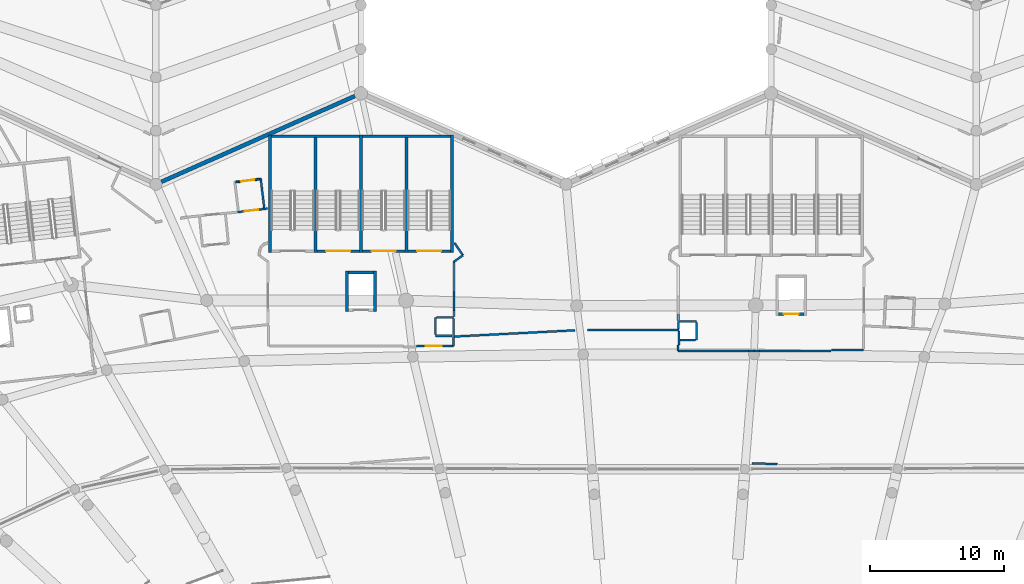
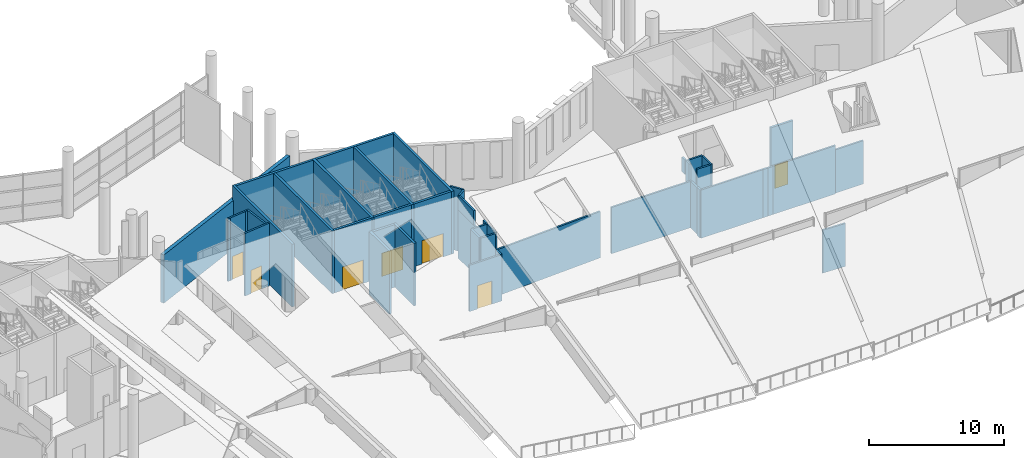
# One storey, part 166 of 249: 46 walls, 7 doors, 7 openings.
"""IFC4 building model written with IfcOpenShell, lengths in metres."""

from ifc_helpers import new_model, si_unit, direction, frame, frame_2d, origin, place, context, subcontext, project, spatial, rectangle, extrude, material, layer, layer_set, type_object, element, fill, save


model = new_model("IFC4")

# Units and contexts
model_context = context("Model", 3, precision=1e-05, world=origin(), true_north=direction((0.0, 1.0)))
body_context = subcontext(model_context, "Body", "Model", "MODEL_VIEW")
ifc_project = project(units=[si_unit("LENGTHUNIT", "METRE"), si_unit("AREAUNIT", "SQUARE_METRE"), si_unit("VOLUMEUNIT", "CUBIC_METRE"), si_unit("PLANEANGLEUNIT", "RADIAN"), si_unit("MASSUNIT", "GRAM", prefix="KILO")], contexts=[model_context])

# Site, building, storey
site_placement = place(None, origin())
site = spatial("IfcSite", under=ifc_project, at=site_placement, CompositionType="ELEMENT")
building_placement = place(site_placement, origin())
building = spatial("IfcBuilding", under=site, at=building_placement, Name="Meseta Stadium", CompositionType="ELEMENT")
storey_placement = place(building_placement, frame((0.0, 0.0, 12.0)))
storey = spatial("IfcBuildingStorey", under=building, at=storey_placement, Name="L02", CompositionType="ELEMENT", Elevation=12.0)

# Walls
ifc_material_1 = material(Name="Concrete C40/50", Category="concrete")
ifc_layer_1 = layer(ifc_material_1, 0.199951171875)
ifc_layer_set_1 = layer_set([ifc_layer_1], Name="Core divider wall 200")
wall_type_1 = type_object("IfcWallType", Name="Core divider wall 200", PredefinedType="SHEAR", material=ifc_layer_set_1)
for number, where, z_axis, x_axis, name in (
    (1, (-19.60009765625, 102.300048828125, 0.0), (0.0, 0.0, 1.0), (0.0, -1.0, 0.0), "Core 11 L02 stair A divider wall"),
    (2, (-26.39990234375, 102.300048828125, 0.0), (0.0, 0.0, 1.0), (0.0, -1.0, 0.0), "Core 11 L02 stair B divider wall"),
):
    element("IfcWall", number, at=place(storey_placement, frame(where, z_axis=z_axis, x_axis=x_axis)), inside=storey, type_object=wall_type_1, Name=name, PredefinedType="SHEAR", context=body_context, shape_type="SweptSolid", body=[
        extrude(rectangle(XDim=8.800048828125, YDim=0.199951171875, at=frame_2d((4.39990234375, 0.0))), origin(), (0.0, 0.0, 1.0), 5.64990234375),
    ])

# Wall, opening, door
ifc_material_2 = material(Name="Concrete C40/50", Category="concrete")
ifc_layer_2 = layer(ifc_material_2, 0.199951171875)
ifc_layer_set_2 = layer_set([ifc_layer_2], Name="Core shaft wall 200")
wall_type_2 = type_object("IfcWallType", Name="Core shaft wall 200", PredefinedType="SHEAR", material=ifc_layer_set_2)
wall_1_placement = place(storey_placement, frame((10.11669921875, 88.89990234375, 0.0), z_axis=(0.0, 0.0, 1.0), x_axis=(-1.0, 0.0, 0.0)))
wall_1 = element("IfcWall", 3, at=wall_1_placement, inside=storey, type_object=wall_type_2, Name="Core 10 L02 lift shaft front wall", PredefinedType="SHEAR", context=body_context, shape_type="SweptSolid", body=[
    extrude(rectangle(XDim=1.89990234375, YDim=0.199951171875, at=frame_2d((0.949951171875, 0.0))), origin(), (0.0, 0.0, 1.0), 5.64990234375),
])
opening_1_placement = place(wall_1_placement, frame((0.39990234375, 0.0, 0.0)))
opening_1 = element("IfcOpeningElement", 4, at=opening_1_placement, cuts=wall_1, Name="Opening LD54", PredefinedType="OPENING", context=body_context, shape_type="SweptSolid", body=[
    extrude(rectangle(XDim=1.10009765625, YDim=2.10009765625, at=frame_2d((0.550048828125, 1.050048828125))), frame((0.0, 0.10986328125, 0.0), z_axis=(0.0, -1.0, 0.0), x_axis=(1.0, 0.0, 0.0)), (0.0, 0.0, 1.0), 0.219970703125),
])
ifc_material_3 = material(Name="Steel", Category="steel")
door_type_1 = type_object("IfcDoorType", Name="Lift landing door 1100x2100", OperationType="SLIDING_TO_LEFT", PredefinedType="DOOR", material=ifc_material_3)
door_1_placement = place(opening_1_placement, origin())
door_1 = element("IfcDoor", 5, at=door_1_placement, inside=storey, type_object=door_type_1, Name="Lift landing door LD54", OperationType="SLIDING_TO_RIGHT", OverallHeight=2.10009765625, OverallWidth=1.10009765625, PredefinedType="DOOR", context=body_context, shape_type="SweptSolid", body=[
    extrude(rectangle(XDim=1.10009765625, YDim=2.10009765625, at=frame_2d((0.550048828125, 1.050048828125))), frame((0.0, 0.02490234375, 0.0), z_axis=(0.0, -1.0, 0.0), x_axis=(1.0, 0.0, 0.0)), (0.0, 0.0, 1.0), 0.050048828125),
])
fill(opening_1, door_1)

# Walls
for number, where, z_axis, x_axis, name in (
    (6, (-16.199951171875, 102.300048828125, 0.0), (0.0, 0.0, 1.0), (0.0, -1.0, 0.0), "Core 11 L02 stair wall A-side"),
    (7, (-23.0, 102.300048828125, 0.0), (0.0, 0.0, 1.0), (0.0, -1.0, 0.0), "Core 11 L02 stair wall shared"),
    (8, (-29.800048828125, 102.300048828125, 0.0), (0.0, 0.0, 1.0), (0.0, -1.0, 0.0), "Core 11 L02 stair wall B-side"),
):
    element("IfcWall", number, at=place(storey_placement, frame(where, z_axis=z_axis, x_axis=x_axis)), inside=storey, type_object=wall_type_2, Name=name, PredefinedType="SHEAR", context=body_context, shape_type="SweptSolid", body=[
        extrude(rectangle(XDim=8.800048828125, YDim=0.199951171875, at=frame_2d((4.39990234375, 0.0))), origin(), (0.0, 0.0, 1.0), 5.64990234375),
    ])
for number, where, z_axis, x_axis, name in (
    (9, (-16.300048828125, 102.199951171875, 0.0), (0.0, 0.0, 1.0), (-1.0, 0.0, 0.0), "Core 11 L02 stair A outer end wall"),
    (10, (-23.10009765625, 102.199951171875, 0.0), (0.0, 0.0, 1.0), (-1.0, 0.0, 0.0), "Core 11 L02 stair B outer end wall"),
):
    element("IfcWall", number, at=place(storey_placement, frame(where, z_axis=z_axis, x_axis=x_axis)), inside=storey, type_object=wall_type_2, Name=name, PredefinedType="SHEAR", context=body_context, shape_type="SweptSolid", body=[
        extrude(rectangle(XDim=6.599853515625, YDim=0.199951171875, at=frame_2d((3.2998046875, 0.0))), origin(), (0.0, 0.0, 1.0), 5.64990234375),
    ])

# Wall, opening, door
wall_2_placement = place(storey_placement, frame((-16.300048828125, 93.60009765625, 0.0), z_axis=(0.0, 0.0, 1.0), x_axis=(-1.0, 0.0, 0.0)))
wall_2 = element("IfcWall", 11, at=wall_2_placement, inside=storey, type_object=wall_type_2, Name="Core 11 L02 stair A1 inner end wall", PredefinedType="SHEAR", context=body_context, shape_type="SweptSolid", body=[
    extrude(rectangle(XDim=3.199951171875, YDim=0.199951171875, at=frame_2d((1.60009765625, 0.0))), origin(), (0.0, 0.0, 1.0), 5.64990234375),
])
opening_2_placement = place(wall_2_placement, frame((0.699951171875, 0.0, 0.0)))
opening_2 = element("IfcOpeningElement", 12, at=opening_2_placement, cuts=wall_2, Name="Opening D1113", PredefinedType="OPENING", context=body_context, shape_type="SweptSolid", body=[
    extrude(rectangle(XDim=1.800048828125, YDim=2.10009765625, at=frame_2d((0.89990234375, 1.050048828125))), frame((0.0, 0.10986328125, 0.0), z_axis=(0.0, -1.0, 0.0), x_axis=(1.0, 0.0, 0.0)), (0.0, 0.0, 1.0), 0.219970703125),
])
ifc_material_4 = material(Name="Steel", Category="steel")
door_type_2 = type_object("IfcDoorType", Name="Stair door 1800x2100", OperationType="DOUBLE_DOOR_SINGLE_SWING", PredefinedType="DOOR", material=ifc_material_4)
door_2_placement = place(opening_2_placement, origin())
door_2 = element("IfcDoor", 13, at=door_2_placement, inside=storey, type_object=door_type_2, Name="Stair A1 door 11 L02", OperationType="DOUBLE_DOOR_SINGLE_SWING", OverallHeight=2.10009765625, OverallWidth=1.800048828125, PredefinedType="DOOR", context=body_context, shape_type="SweptSolid", body=[
    extrude(rectangle(XDim=1.800048828125, YDim=2.10009765625, at=frame_2d((0.89990234375, 1.050048828125))), frame((0.0, 0.02490234375, 0.0), z_axis=(0.0, -1.0, 0.0), x_axis=(1.0, 0.0, 0.0)), (0.0, 0.0, 1.0), 0.050048828125),
])
fill(opening_2, door_2)

wall_3_placement = place(storey_placement, frame((-19.699951171875, 93.60009765625, 0.0), z_axis=(0.0, 0.0, 1.0), x_axis=(-1.0, 0.0, 0.0)))
wall_3 = element("IfcWall", 14, at=wall_3_placement, inside=storey, type_object=wall_type_2, Name="Core 11 L02 stair A2 inner end wall", PredefinedType="SHEAR", context=body_context, shape_type="SweptSolid", body=[
    extrude(rectangle(XDim=3.199951171875, YDim=0.199951171875, at=frame_2d((1.60009765625, 0.0))), origin(), (0.0, 0.0, 1.0), 5.64990234375),
])
opening_3_placement = place(wall_3_placement, frame((0.699951171875, 0.0, 0.0)))
opening_3 = element("IfcOpeningElement", 15, at=opening_3_placement, cuts=wall_3, Name="Opening D1111", PredefinedType="OPENING", context=body_context, shape_type="SweptSolid", body=[
    extrude(rectangle(XDim=1.800048828125, YDim=2.10009765625, at=frame_2d((0.89990234375, 1.050048828125))), frame((0.0, 0.10986328125, 0.0), z_axis=(0.0, -1.0, 0.0), x_axis=(1.0, 0.0, 0.0)), (0.0, 0.0, 1.0), 0.219970703125),
])
door_3_placement = place(opening_3_placement, origin())
door_3 = element("IfcDoor", 16, at=door_3_placement, inside=storey, type_object=door_type_2, Name="Stair A2 door 11 L02", OperationType="DOUBLE_DOOR_SINGLE_SWING", OverallHeight=2.10009765625, OverallWidth=1.800048828125, PredefinedType="DOOR", context=body_context, shape_type="SweptSolid", body=[
    extrude(rectangle(XDim=1.800048828125, YDim=2.10009765625, at=frame_2d((0.89990234375, 1.050048828125))), frame((0.0, 0.02490234375, 0.0), z_axis=(0.0, -1.0, 0.0), x_axis=(1.0, 0.0, 0.0)), (0.0, 0.0, 1.0), 0.050048828125),
])
fill(opening_3, door_3)

wall_4_placement = place(storey_placement, frame((-23.10009765625, 93.60009765625, 0.0), z_axis=(0.0, 0.0, 1.0), x_axis=(-1.0, 0.0, 0.0)))
wall_4 = element("IfcWall", 17, at=wall_4_placement, inside=storey, type_object=wall_type_2, Name="Core 11 L02 stair B1 inner end wall", PredefinedType="SHEAR", context=body_context, shape_type="SweptSolid", body=[
    extrude(rectangle(XDim=3.199951171875, YDim=0.199951171875, at=frame_2d((1.60009765625, 0.0))), origin(), (0.0, 0.0, 1.0), 5.64990234375),
])
opening_4_placement = place(wall_4_placement, frame((0.699951171875, 0.0, 0.0)))
opening_4 = element("IfcOpeningElement", 18, at=opening_4_placement, cuts=wall_4, Name="Opening D1110", PredefinedType="OPENING", context=body_context, shape_type="SweptSolid", body=[
    extrude(rectangle(XDim=1.800048828125, YDim=2.10009765625, at=frame_2d((0.89990234375, 1.050048828125))), frame((0.0, 0.10986328125, 0.0), z_axis=(0.0, -1.0, 0.0), x_axis=(1.0, 0.0, 0.0)), (0.0, 0.0, 1.0), 0.219970703125),
])
door_4_placement = place(opening_4_placement, origin())
door_4 = element("IfcDoor", 19, at=door_4_placement, inside=storey, type_object=door_type_2, Name="Stair B1 door 11 L02", OperationType="DOUBLE_DOOR_SINGLE_SWING", OverallHeight=2.10009765625, OverallWidth=1.800048828125, PredefinedType="DOOR", context=body_context, shape_type="SweptSolid", body=[
    extrude(rectangle(XDim=1.800048828125, YDim=2.10009765625, at=frame_2d((0.89990234375, 1.050048828125))), frame((0.0, 0.02490234375, 0.0), z_axis=(0.0, -1.0, 0.0), x_axis=(1.0, 0.0, 0.0)), (0.0, 0.0, 1.0), 0.050048828125),
])
fill(opening_4, door_4)

# Walls
for number, where, z_axis, x_axis, name in (
    (20, (-21.949951171875, 92.10009765625, 0.0), (0.0, 0.0, 1.0), (0.0, -1.0, 0.0), "Core 11 L02 lift shaft wall left"),
    (21, (-24.050048828125, 92.10009765625, 0.0), (0.0, 0.0, 1.0), (0.0, -1.0, 0.0), "Core 11 L02 lift shaft wall right"),
):
    element("IfcWall", number, at=place(storey_placement, frame(where, z_axis=z_axis, x_axis=x_axis)), inside=storey, type_object=wall_type_2, Name=name, PredefinedType="SHEAR", context=body_context, shape_type="SweptSolid", body=[
        extrude(rectangle(XDim=3.0, YDim=0.199951171875, at=frame_2d((1.5, 0.0))), origin(), (0.0, 0.0, 1.0), 5.64990234375),
    ])
wall_5_placement = place(storey_placement, frame((-22.050048828125, 92.0, 0.0), z_axis=(0.0, 0.0, 1.0), x_axis=(-1.0, 0.0, 0.0)))
element("IfcWall", 22, at=wall_5_placement, inside=storey, type_object=wall_type_2, Name="Core 11 L02 lift shaft back wall", PredefinedType="SHEAR", context=body_context, shape_type="SweptSolid", body=[
    extrude(rectangle(XDim=1.89990234375, YDim=0.199951171875, at=frame_2d((0.949951171875, 0.0))), origin(), (0.0, 0.0, 1.0), 5.64990234375),
])
ifc_material_5 = material(Name="Masonry blockwork", Category="masonry")
ifc_layer_3 = layer(ifc_material_5, 0.14990234375)
ifc_layer_set_3 = layer_set([ifc_layer_3], Name="Partition 150")
wall_type_3 = type_object("IfcWallType", Name="Partition 150", PredefinedType="PARTITIONING", material=ifc_layer_set_3)
wall_6_placement = place(storey_placement, frame((8.122802734375, 77.671142578125, 0.0), z_axis=(0.0, 0.0, 1.0), x_axis=(-0.999290037332, 0.037675207871, 0.0)))
element("IfcWall", 23, at=wall_6_placement, inside=storey, type_object=wall_type_3, Name="Partition L02 L02-cell08-0-0", PredefinedType="PARTITIONING", context=body_context, shape_type="SweptSolid", body=[
    extrude(rectangle(XDim=1.9052734375, YDim=0.14990234375, at=frame_2d((0.95263671875, 0.0))), origin(), (0.0, 0.0, 1.0), 3.872802734375),
])
wall_7_placement = place(storey_placement, frame((12.16845703125, 86.199951171875, 0.0), z_axis=(0.0, 0.0, 1.0), x_axis=(1.0, 0.0, 0.0)))
element("IfcWall", 24, at=wall_7_placement, inside=storey, type_object=wall_type_3, Name="Partition L02 L02-cell08-0-0", PredefinedType="PARTITIONING", context=body_context, shape_type="SweptSolid", body=[
    extrude(rectangle(XDim=2.398193359375, YDim=0.14990234375, at=frame_2d((1.19921875, 0.0))), origin(), (0.0, 0.0, 1.0), 3.906982421875),
])

# Wall, opening, door
wall_8_placement = place(storey_placement, frame((-18.85107421875, 86.5, 0.0), z_axis=(0.0, 0.0, 1.0), x_axis=(1.0, 0.0, 0.0)))
wall_8 = element("IfcWall", 25, at=wall_8_placement, inside=storey, type_object=wall_type_3, Name="Partition L02 L02-cell09-0-0", PredefinedType="PARTITIONING", context=body_context, shape_type="SweptSolid", body=[
    extrude(rectangle(XDim=2.7509765625, YDim=0.14990234375, at=frame_2d((1.37548828125, 0.0))), origin(), (0.0, 0.0, 1.0), 4.181396484375),
])
opening_5_placement = place(wall_8_placement, frame((0.699951171875, 0.0, 0.0)))
opening_5 = element("IfcOpeningElement", 26, at=opening_5_placement, cuts=wall_8, Name="Opening D1114", PredefinedType="OPENING", context=body_context, shape_type="SweptSolid", body=[
    extrude(rectangle(XDim=1.199951171875, YDim=2.10009765625, at=frame_2d((0.60009765625, 1.050048828125))), frame((0.0, 0.0849609375, 0.0), z_axis=(0.0, -1.0, 0.0), x_axis=(1.0, 0.0, 0.0)), (0.0, 0.0, 1.0), 0.169921875),
])
ifc_material_6 = material(Name="Steel", Category="steel")
door_type_3 = type_object("IfcDoorType", Name="Fire door 1200x2100 EI2 60", OperationType="NOTDEFINED", PredefinedType="DOOR", material=ifc_material_6)
door_5_placement = place(opening_5_placement, origin())
door_5 = element("IfcDoor", 27, at=door_5_placement, inside=storey, type_object=door_type_3, Name="Room door L02 L02-cell09-0-0", OperationType="SINGLE_SWING_LEFT", OverallHeight=2.10009765625, OverallWidth=1.199951171875, PredefinedType="DOOR", context=body_context, shape_type="SweptSolid", body=[
    extrude(rectangle(XDim=1.199951171875, YDim=2.10009765625, at=frame_2d((0.60009765625, 1.050048828125))), frame((0.0, 0.02490234375, 0.0), z_axis=(0.0, -1.0, 0.0), x_axis=(1.0, 0.0, 0.0)), (0.0, 0.0, 1.0), 0.050048828125),
])
fill(opening_5, door_5)

# Walls
wall_9_placement = place(storey_placement, frame((-16.10009765625, 86.5, 0.0), z_axis=(0.0, 0.0, 1.0), x_axis=(0.0, 1.0, 0.0)))
element("IfcWall", 28, at=wall_9_placement, inside=storey, type_object=wall_type_3, Name="Partition L02 L02-cell09-0-0", PredefinedType="PARTITIONING", context=body_context, shape_type="SweptSolid", body=[
    extrude(rectangle(XDim=0.7099609375, YDim=0.14990234375, at=frame_2d((0.35498046875, 0.0))), origin(), (0.0, 0.0, 1.0), 4.181396484375),
])
wall_10_placement = place(storey_placement, frame((-16.02490234375, 87.2138671875, 0.0), z_axis=(0.0, 0.0, 1.0), x_axis=(0.998660530851, 0.051741126006, 0.0)))
element("IfcWall", 29, at=wall_10_placement, inside=storey, type_object=wall_type_3, Name="Partition L02 L02-cell09-0-0", PredefinedType="PARTITIONING", context=body_context, shape_type="SweptSolid", body=[
    extrude(rectangle(XDim=9.026611328125, YDim=0.14990234375, at=frame_2d((4.51318359375, 0.0))), origin(), (0.0, 0.0, 1.0), 4.181396484375),
])
wall_11_placement = place(storey_placement, frame((-6.045654296875, 87.705810546875, 0.0), z_axis=(0.0, 0.0, 1.0), x_axis=(1.0, 0.0, 0.0)))
element("IfcWall", 30, at=wall_11_placement, inside=storey, type_object=wall_type_3, Name="Partition L02 L02-cell09-0-0", PredefinedType="PARTITIONING", context=body_context, shape_type="SweptSolid", body=[
    extrude(rectangle(XDim=6.812255859375, YDim=0.14990234375, at=frame_2d((3.40625, 0.0))), origin(), (0.0, 0.0, 1.0), 4.181396484375),
])
wall_12_placement = place(storey_placement, frame((0.7666015625, 87.630859375, 0.0), z_axis=(0.0, 0.0, 1.0), x_axis=(0.0, -1.0, 0.0)))
element("IfcWall", 31, at=wall_12_placement, inside=storey, type_object=wall_type_3, Name="Partition L02 L02-cell09-0-0", PredefinedType="PARTITIONING", context=body_context, shape_type="SweptSolid", body=[
    extrude(rectangle(XDim=1.054443359375, YDim=0.14990234375, at=frame_2d((0.52734375, 0.0))), origin(), (0.0, 0.0, 1.0), 4.181396484375),
])

# Wall, opening, door
wall_13_placement = place(storey_placement, frame((-30.0, 96.783447265625, 0.0), z_axis=(0.0, 0.0, 1.0), x_axis=(-0.992839520799, -0.119455790735, 0.0)))
wall_13 = element("IfcWall", 32, at=wall_13_placement, inside=storey, type_object=wall_type_3, Name="Partition L02 L02-cell10-2-0", PredefinedType="PARTITIONING", context=body_context, shape_type="SweptSolid", body=[
    extrude(rectangle(XDim=2.231689453125, YDim=0.14990234375, at=frame_2d((1.11572265625, 0.0))), origin(), (0.0, 0.0, 1.0), 5.64990234375),
])
opening_6_placement = place(wall_13_placement, frame((0.699951171875, 0.0, 0.0)))
opening_6 = element("IfcOpeningElement", 33, at=opening_6_placement, cuts=wall_13, Name="Opening D1107", PredefinedType="OPENING", context=body_context, shape_type="SweptSolid", body=[
    extrude(rectangle(XDim=1.0, YDim=2.10009765625, at=frame_2d((0.5, 1.050048828125))), frame((0.0, 0.0849609375, 0.0), z_axis=(0.0, -1.0, 0.0), x_axis=(1.0, 0.0, 0.0)), (0.0, 0.0, 1.0), 0.169921875),
])
ifc_material_7 = material(Name="Steel", Category="steel")
door_type_4 = type_object("IfcDoorType", Name="Fire door 1000x2100 EI2 60", OperationType="NOTDEFINED", PredefinedType="DOOR", material=ifc_material_7)
door_6_placement = place(opening_6_placement, origin())
door_6 = element("IfcDoor", 34, at=door_6_placement, inside=storey, type_object=door_type_4, Name="Room door L02 L02-cell10-2-0", OperationType="SINGLE_SWING_RIGHT", OverallHeight=2.10009765625, OverallWidth=1.0, PredefinedType="DOOR", context=body_context, shape_type="SweptSolid", body=[
    extrude(rectangle(XDim=1.0, YDim=2.10009765625, at=frame_2d((0.5, 1.050048828125))), frame((0.0, 0.02490234375, 0.0), z_axis=(0.0, -1.0, 0.0), x_axis=(1.0, 0.0, 0.0)), (0.0, 0.0, 1.0), 0.050048828125),
])
fill(opening_6, door_6)

# Walls
wall_14_placement = place(storey_placement, frame((2.091796875, 88.324951171875, 0.0), z_axis=(0.0, 0.0, 1.0), x_axis=(-1.0, 0.0, 0.0)))
element("IfcWall", 35, at=wall_14_placement, inside=storey, type_object=wall_type_3, Name="Pressurisation shaft wall L02 core 10", PredefinedType="PARTITIONING", context=body_context, shape_type="SweptSolid", body=[
    extrude(rectangle(XDim=1.275146484375, YDim=0.14990234375, at=frame_2d((0.6376953125, 0.0))), origin(), (0.0, 0.0, 1.0), 5.64990234375),
])
wall_15_placement = place(storey_placement, frame((0.74169921875, 88.324951171875, 0.0), z_axis=(0.0, 0.0, 1.0), x_axis=(0.0, -1.0, 0.0)))
element("IfcWall", 36, at=wall_15_placement, inside=storey, type_object=wall_type_3, Name="Pressurisation shaft wall L02 core 10", PredefinedType="PARTITIONING", context=body_context, shape_type="SweptSolid", body=[
    extrude(rectangle(XDim=0.543212890625, YDim=0.14990234375, at=frame_2d((0.271484375, 0.0))), origin(), (0.0, 0.0, 1.0), 5.64990234375),
])
wall_16_placement = place(storey_placement, frame((0.8427734375, 86.97509765625, 0.0), z_axis=(0.0, 0.0, 1.0), x_axis=(1.0, 0.0, 0.0)))
element("IfcWall", 37, at=wall_16_placement, inside=storey, type_object=wall_type_3, Name="Pressurisation shaft wall L02 core 10", PredefinedType="PARTITIONING", context=body_context, shape_type="SweptSolid", body=[
    extrude(rectangle(XDim=1.173828125, YDim=0.14990234375, at=frame_2d((0.5869140625, 0.0))), origin(), (0.0, 0.0, 1.0), 5.64990234375),
])
wall_17_placement = place(storey_placement, frame((2.091796875, 86.97509765625, 0.0), z_axis=(0.0, 0.0, 1.0), x_axis=(0.0, 1.0, 0.0)))
element("IfcWall", 38, at=wall_17_placement, inside=storey, type_object=wall_type_3, Name="Pressurisation shaft wall L02 core 10", PredefinedType="PARTITIONING", context=body_context, shape_type="SweptSolid", body=[
    extrude(rectangle(XDim=1.27490234375, YDim=0.14990234375, at=frame_2d((0.637451171875, 0.0))), origin(), (0.0, 0.0, 1.0), 5.64990234375),
])
wall_18_placement = place(storey_placement, frame((0.7216796875, 88.86181640625, 4.35009765625), z_axis=(0.0, 0.0, 1.0), x_axis=(0.0, -1.0, 0.0)))
element("IfcWall", 39, at=wall_18_placement, inside=storey, type_object=wall_type_3, Name="Stair vestibule wall L02 core 10", PredefinedType="PARTITIONING", context=body_context, shape_type="SweptSolid", body=[
    extrude(rectangle(XDim=0.4560546875, YDim=0.14990234375, at=frame_2d((0.22802734375, 0.0))), origin(), (0.0, 0.0, 1.0), 1.2998046875),
])
wall_19_placement = place(storey_placement, frame((0.691650390625, 86.56640625, 0.0), z_axis=(0.0, 0.0, 1.0), x_axis=(0.0, -1.0, 0.0)))
element("IfcWall", 40, at=wall_19_placement, inside=storey, type_object=wall_type_3, Name="Stair vestibule wall L02 core 10", PredefinedType="PARTITIONING", context=body_context, shape_type="SweptSolid", body=[
    extrude(rectangle(XDim=0.44140625, YDim=0.14990234375, at=frame_2d((0.220703125, 0.0))), origin(), (0.0, 0.0, 1.0), 4.35009765625),
])
wall_20_placement = place(storey_placement, frame((0.691650390625, 86.125, 0.0), z_axis=(0.0, 0.0, 1.0), x_axis=(1.0, 0.0, 0.0)))
element("IfcWall", 41, at=wall_20_placement, inside=storey, type_object=wall_type_3, Name="Stair vestibule wall L02 core 10", PredefinedType="PARTITIONING", context=body_context, shape_type="SweptSolid", body=[
    extrude(rectangle(XDim=5.279052734375, YDim=0.14990234375, at=frame_2d((2.6396484375, 0.0))), origin(), (0.0, 0.0, 1.0), 4.35009765625),
])
wall_21_placement = place(storey_placement, frame((6.80322265625, 86.125, 0.0), z_axis=(0.0, 0.0, 1.0), x_axis=(1.0, 0.0, 0.0)))
element("IfcWall", 42, at=wall_21_placement, inside=storey, type_object=wall_type_3, Name="Stair vestibule wall L02 core 10", PredefinedType="PARTITIONING", context=body_context, shape_type="SweptSolid", body=[
    extrude(rectangle(XDim=5.355224609375, YDim=0.14990234375, at=frame_2d((2.677734375, 0.0))), origin(), (0.0, 0.0, 1.0), 4.35009765625),
])
wall_22_placement = place(storey_placement, frame((5.970703125, 86.125, 0.0), z_axis=(0.0, 0.0, 1.0), x_axis=(1.0, 0.0, 0.0)))
element("IfcWall", 43, at=wall_22_placement, inside=storey, type_object=wall_type_3, Name="Stair vestibule wall L02 core 10", PredefinedType="PARTITIONING", context=body_context, shape_type="SweptSolid", body=[
    extrude(rectangle(XDim=0.41650390625, YDim=0.14990234375, at=frame_2d((0.208251953125, 0.0))), origin(), (0.0, 0.0, 1.0), 4.35009765625),
])
wall_23_placement = place(storey_placement, frame((6.38720703125, 86.125, 0.0), z_axis=(0.0, 0.0, 1.0), x_axis=(1.0, 0.0, 0.0)))
element("IfcWall", 44, at=wall_23_placement, inside=storey, type_object=wall_type_3, Name="Stair vestibule wall L02 core 10", PredefinedType="PARTITIONING", context=body_context, shape_type="SweptSolid", body=[
    extrude(rectangle(XDim=0.416015625, YDim=0.14990234375, at=frame_2d((0.2080078125, 0.0))), origin(), (0.0, 0.0, 1.0), 4.35009765625),
])
wall_24_placement = place(storey_placement, frame((-16.074951171875, 88.625, 0.0), z_axis=(0.0, 0.0, 1.0), x_axis=(-1.0, 0.0, 0.0)))
element("IfcWall", 45, at=wall_24_placement, inside=storey, type_object=wall_type_3, Name="Pressurisation shaft wall L02 core 11", PredefinedType="PARTITIONING", context=body_context, shape_type="SweptSolid", body=[
    extrude(rectangle(XDim=1.275146484375, YDim=0.14990234375, at=frame_2d((0.6376953125, 0.0))), origin(), (0.0, 0.0, 1.0), 5.64990234375),
])
wall_25_placement = place(storey_placement, frame((-17.425048828125, 88.625, 0.0), z_axis=(0.0, 0.0, 1.0), x_axis=(0.0, -1.0, 0.0)))
element("IfcWall", 46, at=wall_25_placement, inside=storey, type_object=wall_type_3, Name="Pressurisation shaft wall L02 core 11", PredefinedType="PARTITIONING", context=body_context, shape_type="SweptSolid", body=[
    extrude(rectangle(XDim=1.27490234375, YDim=0.14990234375, at=frame_2d((0.637451171875, 0.0))), origin(), (0.0, 0.0, 1.0), 5.64990234375),
])
wall_26_placement = place(storey_placement, frame((-17.425048828125, 87.27490234375, 0.0), z_axis=(0.0, 0.0, 1.0), x_axis=(1.0, 0.0, 0.0)))
element("IfcWall", 47, at=wall_26_placement, inside=storey, type_object=wall_type_3, Name="Pressurisation shaft wall L02 core 11", PredefinedType="PARTITIONING", context=body_context, shape_type="SweptSolid", body=[
    extrude(rectangle(XDim=1.2490234375, YDim=0.14990234375, at=frame_2d((0.62451171875, 0.0))), origin(), (0.0, 0.0, 1.0), 5.64990234375),
])
wall_27_placement = place(storey_placement, frame((-16.074951171875, 87.291259765625, 0.0), z_axis=(0.0, 0.0, 1.0), x_axis=(0.0, 1.0, 0.0)))
element("IfcWall", 48, at=wall_27_placement, inside=storey, type_object=wall_type_3, Name="Pressurisation shaft wall L02 core 11", PredefinedType="PARTITIONING", context=body_context, shape_type="SweptSolid", body=[
    extrude(rectangle(XDim=1.2587890625, YDim=0.14990234375, at=frame_2d((0.62939453125, 0.0))), origin(), (0.0, 0.0, 1.0), 5.64990234375),
])
wall_28_placement = place(storey_placement, frame((-16.054931640625, 88.7099609375, 0.0), z_axis=(0.0, 0.0, 1.0), x_axis=(0.0, 1.0, 0.0)))
element("IfcWall", 49, at=wall_28_placement, inside=storey, type_object=wall_type_3, Name="Stair vestibule wall L02 core 11", PredefinedType="PARTITIONING", context=body_context, shape_type="SweptSolid", body=[
    extrude(rectangle(XDim=4.099365234375, YDim=0.14990234375, at=frame_2d((2.0498046875, 0.0))), origin(), (0.0, 0.0, 1.0), 4.35009765625),
])
wall_29_placement = place(storey_placement, frame((-16.054931640625, 88.7099609375, 4.35009765625), z_axis=(0.0, 0.0, 1.0), x_axis=(0.0, 1.0, 0.0)))
element("IfcWall", 50, at=wall_29_placement, inside=storey, type_object=wall_type_3, Name="Stair vestibule wall L02 core 11", PredefinedType="PARTITIONING", context=body_context, shape_type="SweptSolid", body=[
    extrude(rectangle(XDim=0.45556640625, YDim=0.14990234375, at=frame_2d((0.227783203125, 0.0))), origin(), (0.0, 0.0, 1.0), 1.2998046875),
])
wall_30_placement = place(storey_placement, frame((-16.054931640625, 90.531982421875, 4.35009765625), z_axis=(0.0, 0.0, 1.0), x_axis=(0.0, 1.0, 0.0)))
element("IfcWall", 51, at=wall_30_placement, inside=storey, type_object=wall_type_3, Name="Stair vestibule wall L02 core 11", PredefinedType="PARTITIONING", context=body_context, shape_type="SweptSolid", body=[
    extrude(rectangle(XDim=2.27734375, YDim=0.14990234375, at=frame_2d((1.138671875, 0.0))), origin(), (0.0, 0.0, 1.0), 1.2998046875),
])
wall_31_placement = place(storey_placement, frame((-16.054931640625, 92.809326171875, 0.0), z_axis=(0.0, 0.0, 1.0), x_axis=(0.81774999294, 0.575573582652, 0.0)))
element("IfcWall", 52, at=wall_31_placement, inside=storey, type_object=wall_type_3, Name="Stair vestibule wall L02 core 11", PredefinedType="PARTITIONING", context=body_context, shape_type="SweptSolid", body=[
    extrude(rectangle(XDim=0.82958984375, YDim=0.14990234375, at=frame_2d((0.414794921875, 0.0))), origin(), (0.0, 0.0, 1.0), 5.64990234375),
])
wall_32_placement = place(storey_placement, frame((-15.37646484375, 93.286865234375, 0.0), z_axis=(0.0, 0.0, 1.0), x_axis=(-0.562120553728, 0.827055308354, 0.0)))
element("IfcWall", 53, at=wall_32_placement, inside=storey, type_object=wall_type_3, Name="Stair vestibule wall L02 core 11", PredefinedType="PARTITIONING", context=body_context, shape_type="SweptSolid", body=[
    extrude(rectangle(XDim=1.1279296875, YDim=0.14990234375, at=frame_2d((0.56396484375, 0.0))), origin(), (0.0, 0.0, 1.0), 5.64990234375),
])
wall_33_placement = place(storey_placement, frame((-30.232421875, 96.8310546875, 0.0), z_axis=(0.0, 0.0, 1.0), x_axis=(-0.119359153818, 0.992851143123, 0.0)))
element("IfcWall", 54, at=wall_33_placement, inside=storey, type_object=wall_type_3, Name="Partition L02 L02-cell10-2-0 vestibule", PredefinedType="PARTITIONING", context=body_context, shape_type="SweptSolid", body=[
    extrude(rectangle(XDim=2.25, YDim=0.14990234375, at=frame_2d((1.125, 0.0))), origin(), (0.0, 0.0, 1.0), 5.64990234375),
])
wall_34_placement = place(storey_placement, frame((-30.56640625, 98.9814453125, 0.0), z_axis=(0.0, 0.0, 1.0), x_axis=(-0.992830592569, -0.119529973061, 0.0)))
element("IfcWall", 55, at=wall_34_placement, inside=storey, type_object=wall_type_3, Name="Partition L02 L02-cell10-2-0 vestibule", PredefinedType="PARTITIONING", context=body_context, shape_type="SweptSolid", body=[
    extrude(rectangle(XDim=0.2001953125, YDim=0.14990234375, at=frame_2d((0.10009765625, 0.0))), origin(), (0.0, 0.0, 1.0), 5.64990234375),
])

# Wall, opening, door
wall_35_placement = place(storey_placement, frame((-30.76513671875, 98.95751953125, 0.0), z_axis=(0.0, 0.0, 1.0), x_axis=(-0.99283882799, -0.119461548774, 0.0)))
wall_35 = element("IfcWall", 56, at=wall_35_placement, inside=storey, type_object=wall_type_3, Name="Partition L02 L02-cell10-2-0 vestibule", PredefinedType="PARTITIONING", context=body_context, shape_type="SweptSolid", body=[
    extrude(rectangle(XDim=1.39990234375, YDim=0.14990234375, at=frame_2d((0.699951171875, 0.0))), origin(), (0.0, 0.0, 1.0), 5.64990234375),
])
opening_7_placement = place(wall_35_placement, frame((0.199951171875, 0.0, 0.0)))
opening_7 = element("IfcOpeningElement", 57, at=opening_7_placement, cuts=wall_35, Name="Opening D1105", PredefinedType="OPENING", context=body_context, shape_type="SweptSolid", body=[
    extrude(rectangle(XDim=1.0, YDim=2.10009765625, at=frame_2d((0.5, 1.050048828125))), frame((0.0, 0.0849609375, 0.0), z_axis=(0.0, -1.0, 0.0), x_axis=(1.0, 0.0, 0.0)), (0.0, 0.0, 1.0), 0.169921875),
])
door_7_placement = place(opening_7_placement, origin())
door_7 = element("IfcDoor", 58, at=door_7_placement, inside=storey, type_object=door_type_4, Name="Vestibule door L02 L02-cell10-2-0", OperationType="SINGLE_SWING_RIGHT", OverallHeight=2.10009765625, OverallWidth=1.0, PredefinedType="DOOR", context=body_context, shape_type="SweptSolid", body=[
    extrude(rectangle(XDim=1.0, YDim=2.10009765625, at=frame_2d((0.5, 1.050048828125))), frame((0.0, 0.02490234375, 0.0), z_axis=(0.0, -1.0, 0.0), x_axis=(1.0, 0.0, 0.0)), (0.0, 0.0, 1.0), 0.050048828125),
])
fill(opening_7, door_7)

# Walls
wall_36_placement = place(storey_placement, frame((-32.155029296875, 98.790283203125, 0.0), z_axis=(0.0, 0.0, 1.0), x_axis=(-0.992957519171, -0.118470946322, 0.0)))
element("IfcWall", 59, at=wall_36_placement, inside=storey, type_object=wall_type_3, Name="Partition L02 L02-cell10-2-0 vestibule", PredefinedType="PARTITIONING", context=body_context, shape_type="SweptSolid", body=[
    extrude(rectangle(XDim=0.199951171875, YDim=0.14990234375, at=frame_2d((0.10009765625, 0.0))), origin(), (0.0, 0.0, 1.0), 5.64990234375),
])
ifc_material_8 = material(Name="White precast concrete C40/50", Category="concrete")
ifc_layer_4 = layer(ifc_material_8, 0.300048828125)
ifc_layer_set_4 = layer_set([ifc_layer_4], Name="Pleated panel wall 300 concourse")
wall_type_4 = type_object("IfcWallType", Name="Pleated panel wall 300 concourse", PredefinedType="SOLIDWALL", material=ifc_layer_set_4)
wall_37_placement = place(storey_placement, frame((-37.92236328125, 98.7822265625, 0.0), z_axis=(0.0, 0.0, 1.0), x_axis=(0.914138897099, 0.405401130748, 0.0)))
element("IfcWall", 60, at=wall_37_placement, inside=storey, type_object=wall_type_4, Name="Pleated facade panel L02 F20", PredefinedType="SOLIDWALL", context=body_context, shape_type="SweptSolid", body=[
    extrude(rectangle(XDim=15.824462890625, YDim=0.300048828125, at=frame_2d((7.912109375, 0.0))), origin(), (0.0, 0.0, 1.0), 4.35009765625),
])

save(model, "model.ifc")
